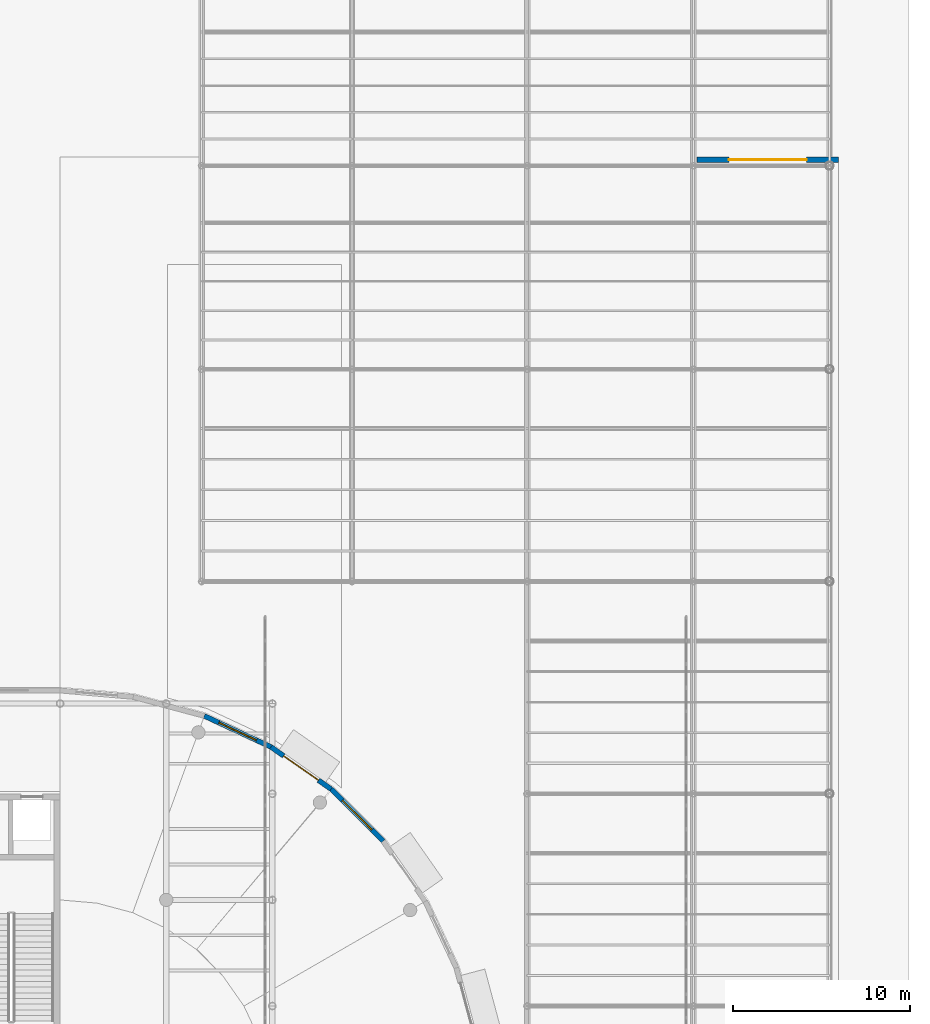
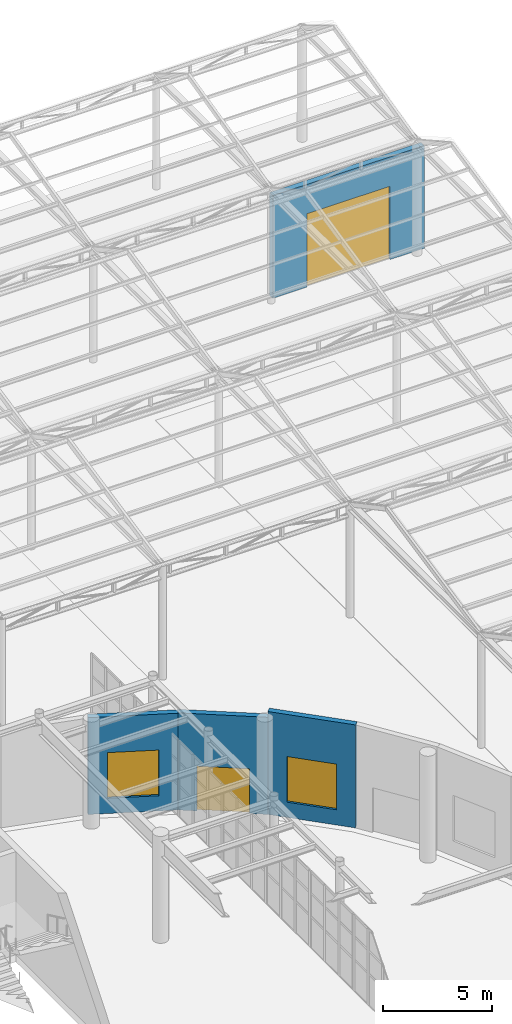
# One storey, part 96 of 118: 4 walls, 2 doors, 2 windows, 4 openings.
"""IFC4 building model written with IfcOpenShell, lengths in metres."""

from ifc_helpers import new_model, si_unit, direction, frame, frame_2d, origin, place, context, subcontext, project, spatial, rectangle, extrude, material, layer, layer_set, type_object, element, fill, save


model = new_model("IFC4")

# Units and contexts
model_context = context("Model", 3, precision=1e-05, world=origin(), true_north=direction((0.0, 1.0)))
body_context = subcontext(model_context, "Body", "Model", "MODEL_VIEW")
ifc_project = project(units=[si_unit("LENGTHUNIT", "METRE"), si_unit("AREAUNIT", "SQUARE_METRE"), si_unit("VOLUMEUNIT", "CUBIC_METRE"), si_unit("PLANEANGLEUNIT", "RADIAN"), si_unit("MASSUNIT", "GRAM", prefix="KILO")], contexts=[model_context])

# Site, building, storey
site_placement = place(None, origin())
site = spatial("IfcSite", under=ifc_project, at=site_placement, CompositionType="ELEMENT")
building_placement = place(site_placement, origin())
building = spatial("IfcBuilding", under=site, at=building_placement, Name="Kolvaren Corner Interchange", CompositionType="ELEMENT")
storey_placement = place(building_placement, origin())
storey = spatial("IfcBuildingStorey", under=building, at=storey_placement, Name="L01", CompositionType="ELEMENT", Elevation=0.0)

# Wall, opening, door
ifc_material_1 = material(Name="Ochre Architectural Terracotta Rainscreen Assembly", Category="masonry")
ifc_layer_1 = layer(ifc_material_1, 0.300048828125)
ifc_layer_set_1 = layer_set([ifc_layer_1], Name="Ochre Architectural Terracotta Rainscreen Assembly")
wall_type_1 = type_object("IfcWallType", Name="WT-EXT-OCH300", PredefinedType="SOLIDWALL", material=ifc_layer_set_1)
wall_1_placement = place(storey_placement, frame((156.0, 101.840087890625, 0.0), z_axis=(0.0, 0.0, 1.0), x_axis=(1.0, 0.0, 0.0)))
wall_1 = element("IfcWall", 1, at=wall_1_placement, inside=storey, type_object=wall_type_1, Name="Bus Loop North Exit Portal Wall Wall 0193", PredefinedType="SOLIDWALL", context=body_context, shape_type="SweptSolid", body=[
    extrude(rectangle(XDim=8.0, YDim=0.300048828125, at=frame_2d((4.0, 0.0))), origin(), (0.0, 0.0, 1.0), 5.739990234375),
])
opening_1_placement = place(wall_1_placement, frame((1.800048828125, 0.0, 0.0)))
opening_1 = element("IfcOpeningElement", 2, at=opening_1_placement, cuts=wall_1, Name="Opening D-G01", PredefinedType="OPENING", context=body_context, shape_type="SweptSolid", body=[
    extrude(rectangle(XDim=4.39990234375, YDim=4.10009765625, at=frame_2d((2.199951171875, 2.050048828125))), frame((0.0, 0.159912109375, 0.0), z_axis=(0.0, -1.0, 0.0), x_axis=(1.0, 0.0, 0.0)), (0.0, 0.0, 1.0), 0.320068359375),
])
ifc_material_2 = material(Name="Galvanised Roller-Shutter Steel Lath", Category="steel")
door_type_1 = type_object("IfcDoorType", Name="DT-GATE-4400", OperationType="NOTDEFINED", PredefinedType="GATE", material=ifc_material_2)
door_1_placement = place(opening_1_placement, origin())
door_1 = element("IfcDoor", 3, at=door_1_placement, inside=storey, type_object=door_type_1, Name="L01 Bus Loop North Exit Portal Door 040", OperationType="ROLLINGUP", OverallHeight=4.10009765625, OverallWidth=4.39990234375, PredefinedType="GATE", context=body_context, shape_type="SweptSolid", body=[
    extrude(rectangle(XDim=4.39990234375, YDim=4.10009765625, at=frame_2d((2.199951171875, 2.050048828125))), frame((0.0, 0.02490234375, 0.0), z_axis=(0.0, -1.0, 0.0), x_axis=(1.0, 0.0, 0.0)), (0.0, 0.0, 1.0), 0.050048828125),
])
fill(opening_1, door_1)

# Wall, opening, window
ifc_material_3 = material(Name="White Glazed Ceramic Terracotta Band Assembly", Category="masonry")
ifc_layer_2 = layer(ifc_material_3, 0.280029296875)
ifc_layer_set_2 = layer_set([ifc_layer_2], Name="White Glazed Ceramic Terracotta Band Assembly")
wall_type_2 = type_object("IfcWallType", Name="WT-EXT-WHT280", PredefinedType="SOLIDWALL", material=ifc_layer_set_2)
wall_2_placement = place(storey_placement, frame((138.262451171875, 63.32421875, 0.0), z_axis=(0.0, 0.0, 1.0), x_axis=(-0.707106781187, 0.707106781187, 0.0)))
wall_2 = element("IfcWall", 4, at=wall_2_placement, inside=storey, type_object=wall_type_2, Name="Racetrack East Curved Drum Chord 14 Wall 0111", PredefinedType="SOLIDWALL", context=body_context, shape_type="SweptSolid", body=[
    extrude(rectangle(XDim=4.1552734375, YDim=0.280029296875, at=frame_2d((2.07763671875, 0.0))), origin(), (0.0, 0.0, 1.0), 5.75),
])
opening_2_placement = place(wall_2_placement, frame((0.90283203125, 0.0, 0.85009765625)))
opening_2 = element("IfcOpeningElement", 5, at=opening_2_placement, cuts=wall_2, Name="Opening W-15", PredefinedType="OPENING", context=body_context, shape_type="SweptSolid", body=[
    extrude(rectangle(XDim=2.35009765625, YDim=2.550048828125, at=frame_2d((1.175048828125, 1.27490234375))), frame((0.0, 0.14990234375, 0.0), z_axis=(0.0, -1.0, 0.0), x_axis=(1.0, 0.0, 0.0)), (0.0, 0.0, 1.0), 0.300048828125),
])
ifc_material_4 = material(Name="Thermally Broken Aluminium and Solar-Control Double Glazing", Category="aluminium")
window_type = type_object("IfcWindowType", Name="WT-ARC-2350x2550", PartitioningType="TRIPLE_PANEL_HORIZONTAL", PredefinedType="WINDOW", material=ifc_material_4)
window_1_placement = place(opening_2_placement, origin())
window_1 = element("IfcWindow", 6, at=window_1_placement, inside=storey, type_object=window_type, Name="L01 Racetrack East Curved Drum Chord 14 Window 0181", OverallHeight=2.550048828125, OverallWidth=2.35009765625, PartitioningType="SINGLE_PANEL", PredefinedType="WINDOW", context=body_context, shape_type="SweptSolid", body=[
    extrude(rectangle(XDim=2.35009765625, YDim=2.550048828125, at=frame_2d((1.175048828125, 1.27490234375))), frame((0.0, 0.030029296875, 0.0), z_axis=(0.0, -1.0, 0.0), x_axis=(1.0, 0.0, 0.0)), (0.0, 0.0, 1.0), 0.06005859375),
])
fill(opening_2, window_1)

# Wall, opening, door
wall_3_placement = place(storey_placement, frame((135.32421875, 66.262451171875, 0.0), z_axis=(0.0, 0.0, 1.0), x_axis=(-0.819171197327, 0.573549082007, 0.0)))
wall_3 = element("IfcWall", 7, at=wall_3_placement, inside=storey, type_object=wall_type_2, Name="Racetrack East Curved Drum Chord 15 Wall 0112", PredefinedType="SOLIDWALL", context=body_context, shape_type="SweptSolid", body=[
    extrude(rectangle(XDim=4.15576171875, YDim=0.280029296875, at=frame_2d((2.077880859375, 0.0))), origin(), (0.0, 0.0, 1.0), 5.425048828125),
])
opening_3_placement = place(wall_3_placement, frame((0.877685546875, 0.0, 0.0)))
opening_3 = element("IfcOpeningElement", 8, at=opening_3_placement, cuts=wall_3, Name="Opening D-E01", PredefinedType="OPENING", context=body_context, shape_type="SweptSolid", body=[
    extrude(rectangle(XDim=2.39990234375, YDim=2.5, at=frame_2d((1.199951171875, 1.25))), frame((0.0, 0.14990234375, 0.0), z_axis=(0.0, -1.0, 0.0), x_axis=(1.0, 0.0, 0.0)), (0.0, 0.0, 1.0), 0.300048828125),
])
ifc_material_5 = material(Name="Anodised Aluminium and Laminated Safety Glass", Category="aluminium")
door_type_2 = type_object("IfcDoorType", Name="DT-EXT-DBL2400", OperationType="NOTDEFINED", PredefinedType="DOOR", material=ifc_material_5)
door_2_placement = place(opening_3_placement, origin())
door_2 = element("IfcDoor", 9, at=door_2_placement, inside=storey, type_object=door_type_2, Name="L01 East Racetrack Bus Transfer Exit Door 017", OperationType="DOUBLE_DOOR_SINGLE_SWING", OverallHeight=2.5, OverallWidth=2.39990234375, PredefinedType="DOOR", context=body_context, shape_type="SweptSolid", body=[
    extrude(rectangle(XDim=2.39990234375, YDim=2.5, at=frame_2d((1.199951171875, 1.25))), frame((0.0, 0.02490234375, 0.0), z_axis=(0.0, -1.0, 0.0), x_axis=(1.0, 0.0, 0.0)), (0.0, 0.0, 1.0), 0.050048828125),
])
fill(opening_3, door_2)

# Wall, opening, window
wall_4_placement = place(storey_placement, frame((131.919921875, 68.64599609375, 0.0), z_axis=(0.0, 0.0, 1.0), x_axis=(-0.906291177731, 0.422653878685, 0.0)))
wall_4 = element("IfcWall", 10, at=wall_4_placement, inside=storey, type_object=wall_type_2, Name="Racetrack East Curved Drum Chord 16 Wall 0113", PredefinedType="SOLIDWALL", context=body_context, shape_type="SweptSolid", body=[
    extrude(rectangle(XDim=4.155517578125, YDim=0.280029296875, at=frame_2d((2.07763671875, 0.0))), origin(), (0.0, 0.0, 1.0), 5.405029296875),
])
opening_4_placement = place(wall_4_placement, frame((0.90283203125, 0.0, 0.85009765625)))
opening_4 = element("IfcOpeningElement", 11, at=opening_4_placement, cuts=wall_4, Name="Opening W-15", PredefinedType="OPENING", context=body_context, shape_type="SweptSolid", body=[
    extrude(rectangle(XDim=2.35009765625, YDim=2.550048828125, at=frame_2d((1.175048828125, 1.27490234375))), frame((0.0, 0.14990234375, 0.0), z_axis=(0.0, -1.0, 0.0), x_axis=(1.0, 0.0, 0.0)), (0.0, 0.0, 1.0), 0.300048828125),
])
window_2_placement = place(opening_4_placement, origin())
window_2 = element("IfcWindow", 12, at=window_2_placement, inside=storey, type_object=window_type, Name="L01 Racetrack East Curved Drum Chord 16 Window 0182", OverallHeight=2.550048828125, OverallWidth=2.35009765625, PartitioningType="SINGLE_PANEL", PredefinedType="WINDOW", context=body_context, shape_type="SweptSolid", body=[
    extrude(rectangle(XDim=2.35009765625, YDim=2.550048828125, at=frame_2d((1.175048828125, 1.27490234375))), frame((0.0, 0.030029296875, 0.0), z_axis=(0.0, -1.0, 0.0), x_axis=(1.0, 0.0, 0.0)), (0.0, 0.0, 1.0), 0.06005859375),
])
fill(opening_4, window_2)

save(model, "model.ifc")
